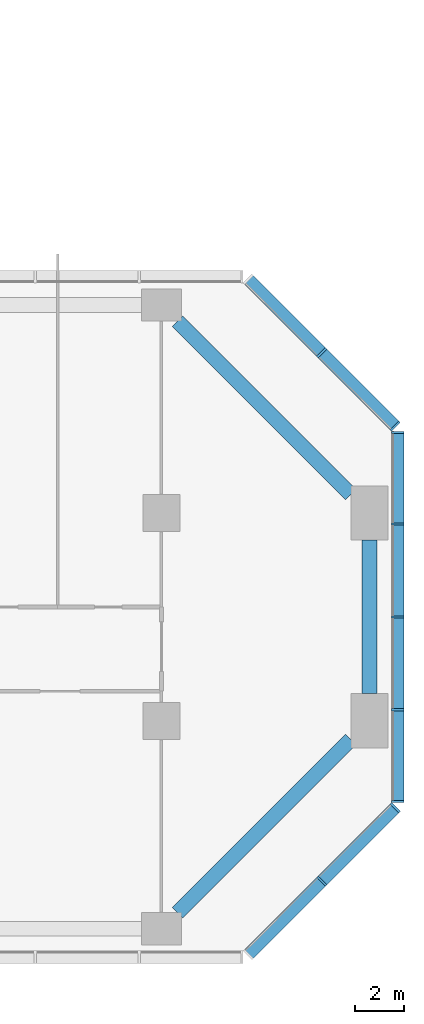
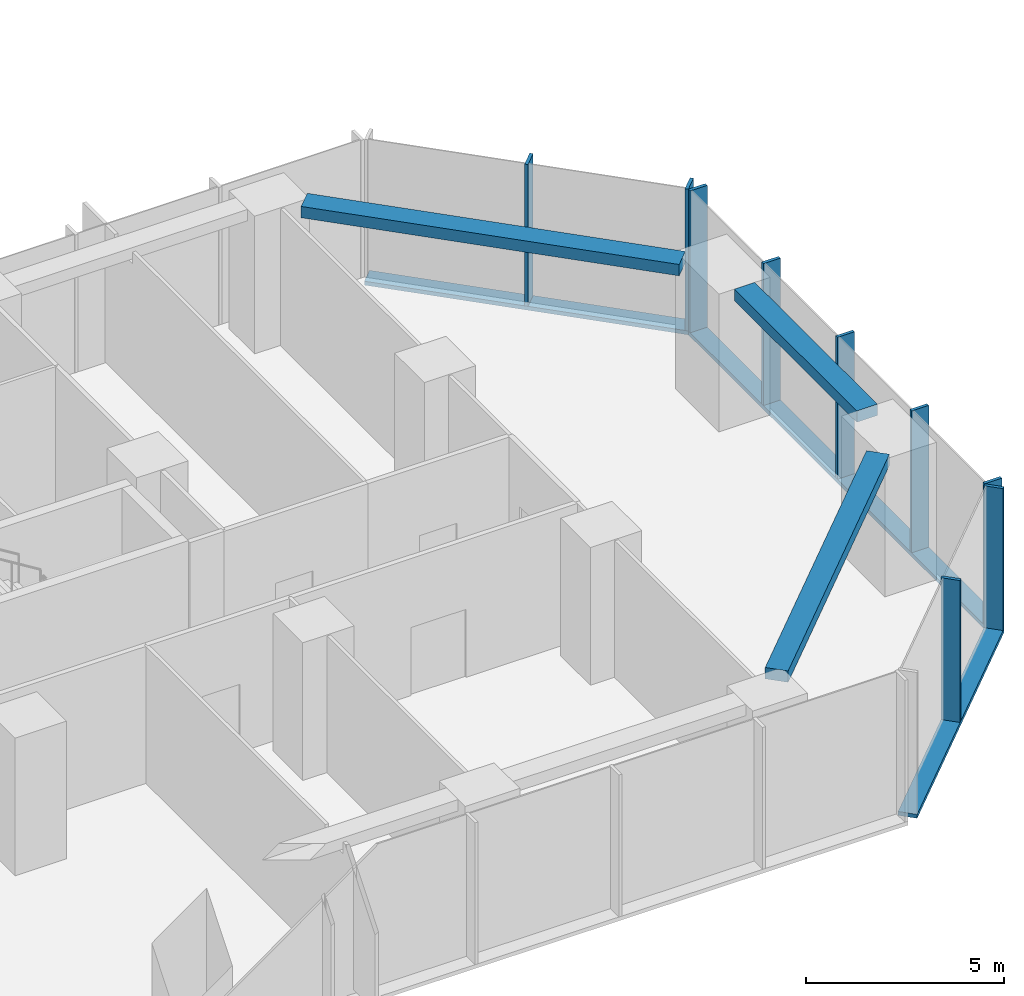
# One storey, part 4 of 13: 12 members, 3 beams, 3 elements without a shape of their own.
"""IFC4 building model written with IfcOpenShell, lengths in metres."""

from ifc_helpers import new_model, si_unit, direction, frame, origin, origin_2d, place, context, subcontext, project, spatial, rectangle, extrude, material, material_profile, profile_set, type_object, element, aggregate, save


model = new_model("IFC4")

# Units and contexts
model_context = context("Model", 3, precision=1e-05, world=origin(), true_north=direction((0.0, 1.0)))
body_context = subcontext(model_context, "Body", "Model", "MODEL_VIEW")
ifc_project = project(units=[si_unit("LENGTHUNIT", "METRE"), si_unit("AREAUNIT", "SQUARE_METRE"), si_unit("VOLUMEUNIT", "CUBIC_METRE"), si_unit("PLANEANGLEUNIT", "RADIAN"), si_unit("MASSUNIT", "GRAM", prefix="KILO")], contexts=[model_context])

# Site, building, storey
site_placement = place(None, origin())
site = spatial("IfcSite", under=ifc_project, at=site_placement, CompositionType="ELEMENT")
building_placement = place(site_placement, origin())
building = spatial("IfcBuilding", under=site, at=building_placement, Name="Brevane Broadcast Tower", CompositionType="ELEMENT")
storey_placement = place(building_placement, frame((0.0, 0.0, 32.0)))
storey = spatial("IfcBuildingStorey", under=building, at=storey_placement, Name="L05", CompositionType="ELEMENT", Elevation=32.0)

# Curtain wall, members
ifc_material_1 = material(Name="Aluminium 6063-T6 bronze anodised", Category="aluminium")
curtain_wall_type = type_object("IfcCurtainWallType", Name="CW-2 curtain wall", PredefinedType="NOTDEFINED", material=ifc_material_1)
curtain_wall_1_placement = place(storey_placement, origin())
curtain_wall_1 = element("IfcCurtainWall", 1, at=curtain_wall_1_placement, inside=storey, type_object=curtain_wall_type, Name="CW-2 podium base unit L05 south-east chamfer", PredefinedType="NOTDEFINED")
ifc_material_profile_1 = material_profile(ifc_material_1, rectangle(XDim=0.5, YDim=0.090087890625, at=origin_2d()), Name="RECT 90x500")
ifc_profile_set_1 = profile_set([ifc_material_profile_1], Name="Aluminium 6063-T6 bronze anodised")
member_type_1 = type_object("IfcMemberType", Name="CW-2 mullion 90x500", PredefinedType="MULLION", material=ifc_profile_set_1)
member_1_placement = place(storey_placement, frame((65.27685546875, 1.92333984375, -0.1298828125), z_axis=(0.0, 0.0, 1.0), x_axis=(-0.707106781187, 0.707106781187, 0.0)))
member_1 = element("IfcMember", 2, at=member_1_placement, type_object=member_type_1, Name="CW-2 mullion", PredefinedType="MULLION", context=body_context, shape_type="SweptSolid", body=[
    extrude(rectangle(XDim=0.5, YDim=0.090087890625, at=origin_2d()), origin(), (0.0, 0.0, 1.0), 4.3798828125),
])
member_2_placement = place(storey_placement, frame((68.244873046875, 4.891357421875, -0.1298828125), z_axis=(0.0, 0.0, 1.0), x_axis=(-0.707106781187, 0.707106781187, 0.0)))
member_2 = element("IfcMember", 3, at=member_2_placement, type_object=member_type_1, Name="CW-2 mullion", PredefinedType="MULLION", context=body_context, shape_type="SweptSolid", body=[
    extrude(rectangle(XDim=0.5, YDim=0.090087890625, at=origin_2d()), origin(), (0.0, 0.0, 1.0), 4.3798828125),
])

curtain_wall_2_placement = place(storey_placement, origin())
curtain_wall_2 = element("IfcCurtainWall", 4, at=curtain_wall_2_placement, inside=storey, type_object=curtain_wall_type, Name="CW-2 podium base unit L05 east end", PredefinedType="NOTDEFINED")
member_3_placement = place(storey_placement, frame((68.35009765625, 5.14501953125, -0.1298828125), z_axis=(0.0, 0.0, 1.0), x_axis=(-1.0, 0.0, 0.0)))
member_3 = element("IfcMember", 5, at=member_3_placement, type_object=member_type_1, Name="CW-2 mullion", PredefinedType="MULLION", context=body_context, shape_type="SweptSolid", body=[
    extrude(rectangle(XDim=0.5, YDim=0.090087890625, at=origin_2d()), origin(), (0.0, 0.0, 1.0), 4.3798828125),
])
member_4_placement = place(storey_placement, frame((68.35009765625, 8.85009765625, -0.1298828125), z_axis=(0.0, 0.0, 1.0), x_axis=(-1.0, 0.0, 0.0)))
member_4 = element("IfcMember", 6, at=member_4_placement, type_object=member_type_1, Name="CW-2 mullion", PredefinedType="MULLION", context=body_context, shape_type="SweptSolid", body=[
    extrude(rectangle(XDim=0.5, YDim=0.090087890625, at=origin_2d()), origin(), (0.0, 0.0, 1.0), 4.3798828125),
])
member_5_placement = place(storey_placement, frame((68.35009765625, 12.60009765625, -0.1298828125), z_axis=(0.0, 0.0, 1.0), x_axis=(-1.0, 0.0, 0.0)))
member_5 = element("IfcMember", 7, at=member_5_placement, type_object=member_type_1, Name="CW-2 mullion", PredefinedType="MULLION", context=body_context, shape_type="SweptSolid", body=[
    extrude(rectangle(XDim=0.5, YDim=0.090087890625, at=origin_2d()), origin(), (0.0, 0.0, 1.0), 4.3798828125),
])
member_6_placement = place(storey_placement, frame((68.35009765625, 16.35009765625, -0.1298828125), z_axis=(0.0, 0.0, 1.0), x_axis=(-1.0, 0.0, 0.0)))
member_6 = element("IfcMember", 8, at=member_6_placement, type_object=member_type_1, Name="CW-2 mullion", PredefinedType="MULLION", context=body_context, shape_type="SweptSolid", body=[
    extrude(rectangle(XDim=0.5, YDim=0.090087890625, at=origin_2d()), origin(), (0.0, 0.0, 1.0), 4.3798828125),
])
member_7_placement = place(storey_placement, frame((68.35009765625, 20.054931640625, -0.1298828125), z_axis=(0.0, 0.0, 1.0), x_axis=(-1.0, 0.0, 0.0)))
member_7 = element("IfcMember", 9, at=member_7_placement, type_object=member_type_1, Name="CW-2 mullion", PredefinedType="MULLION", context=body_context, shape_type="SweptSolid", body=[
    extrude(rectangle(XDim=0.5, YDim=0.090087890625, at=origin_2d()), origin(), (0.0, 0.0, 1.0), 4.3798828125),
])

curtain_wall_3_placement = place(storey_placement, origin())
curtain_wall_3 = element("IfcCurtainWall", 10, at=curtain_wall_3_placement, inside=storey, type_object=curtain_wall_type, Name="CW-2 podium base unit L05 north-east chamfer", PredefinedType="NOTDEFINED")
member_8_placement = place(storey_placement, frame((68.244873046875, 20.30859375, -0.1298828125), z_axis=(0.0, 0.0, 1.0), x_axis=(-0.707106781187, -0.707106781187, 0.0)))
member_8 = element("IfcMember", 11, at=member_8_placement, type_object=member_type_1, Name="CW-2 mullion", PredefinedType="MULLION", context=body_context, shape_type="SweptSolid", body=[
    extrude(rectangle(XDim=0.5, YDim=0.090087890625, at=origin_2d()), origin(), (0.0, 0.0, 1.0), 4.3798828125),
])
member_9_placement = place(storey_placement, frame((65.27685546875, 23.27685546875, -0.1298828125), z_axis=(0.0, 0.0, 1.0), x_axis=(-0.707106781187, -0.707106781187, 0.0)))
member_9 = element("IfcMember", 12, at=member_9_placement, type_object=member_type_1, Name="CW-2 mullion", PredefinedType="MULLION", context=body_context, shape_type="SweptSolid", body=[
    extrude(rectangle(XDim=0.5, YDim=0.090087890625, at=origin_2d()), origin(), (0.0, 0.0, 1.0), 4.3798828125),
])

# Member
ifc_material_profile_2 = material_profile(ifc_material_1, rectangle(XDim=0.5, YDim=0.1201171875, at=origin_2d()), Name="RECT 120x500")
ifc_profile_set_2 = profile_set([ifc_material_profile_2], Name="Aluminium 6063-T6 bronze anodised")
member_type_2 = type_object("IfcMemberType", Name="CW-2 transom 120x500", PredefinedType="USERDEFINED", material=ifc_profile_set_2)
member_10_placement = place(storey_placement, frame((62.27685546875, -1.07666015625, -0.18994140625), z_axis=(0.707106781187, 0.707106781187, 0.0), x_axis=(-0.707106781187, 0.707106781187, 0.0)))
member_10 = element("IfcMember", 13, at=member_10_placement, type_object=member_type_2, Name="CW-2 transom", ObjectType="TRANSOM", PredefinedType="USERDEFINED", context=body_context, shape_type="SweptSolid", body=[
    extrude(rectangle(XDim=0.5, YDim=0.1201171875, at=origin_2d()), origin(), (0.0, 0.0, 1.0), 8.4853515625),
])

aggregate(curtain_wall_1, [member_1, member_2, member_10])

member_11_placement = place(storey_placement, frame((68.35009765625, 5.10009765625, -0.18994140625), z_axis=(0.0, 1.0, 0.0), x_axis=(-1.0, 0.0, 0.0)))
member_11 = element("IfcMember", 14, at=member_11_placement, type_object=member_type_2, Name="CW-2 transom", ObjectType="TRANSOM", PredefinedType="USERDEFINED", context=body_context, shape_type="SweptSolid", body=[
    extrude(rectangle(XDim=0.5, YDim=0.1201171875, at=origin_2d()), origin(), (0.0, 0.0, 1.0), 15.0),
])

aggregate(curtain_wall_2, [member_3, member_4, member_5, member_6, member_7, member_11])

member_12_placement = place(storey_placement, frame((68.27685546875, 20.27685546875, -0.18994140625), z_axis=(-0.707106781187, 0.707106781187, 0.0), x_axis=(-0.707106781187, -0.707106781187, 0.0)))
member_12 = element("IfcMember", 15, at=member_12_placement, type_object=member_type_2, Name="CW-2 transom", ObjectType="TRANSOM", PredefinedType="USERDEFINED", context=body_context, shape_type="SweptSolid", body=[
    extrude(rectangle(XDim=0.5, YDim=0.1201171875, at=origin_2d()), origin(), (0.0, 0.0, 1.0), 8.4853515625),
])

aggregate(curtain_wall_3, [member_8, member_9, member_12])

# Beams
ifc_material_2 = material(Name="Concrete C40/50", Category="concrete")
ifc_material_profile_3 = material_profile(ifc_material_2, rectangle(XDim=0.60009765625, YDim=0.35009765625, at=origin_2d()), Name="RC 600x350")
ifc_profile_set_3 = profile_set([ifc_material_profile_3], Name="Concrete C40/50")
beam_type = type_object("IfcBeamType", Name="RC SPANDREL BEAM 600x350 C40/50", PredefinedType="SPANDREL", material=ifc_profile_set_3)
beam_1_placement = place(storey_placement, frame((59.449951171875, 0.64990234375, 4.074951171875), z_axis=(0.707106781187, 0.707106781187, 0.0), x_axis=(-0.707106781187, 0.707106781187, 0.0)))
element("IfcBeam", 16, at=beam_1_placement, inside=storey, type_object=beam_type, Name="EB1 L05-5", PredefinedType="SPANDREL", context=body_context, shape_type="SweptSolid", body=[
    extrude(rectangle(XDim=0.60009765625, YDim=0.35009765625, at=origin_2d()), origin(), (0.0, 0.0, 1.0), 9.8994140625),
])
beam_2_placement = place(storey_placement, frame((67.199951171875, 9.5, 4.074951171875), z_axis=(0.0, 1.0, 0.0), x_axis=(-1.0, 0.0, 0.0)))
element("IfcBeam", 17, at=beam_2_placement, inside=storey, type_object=beam_type, Name="EB1 L05-6", PredefinedType="SPANDREL", context=body_context, shape_type="SweptSolid", body=[
    extrude(rectangle(XDim=0.60009765625, YDim=0.35009765625, at=origin_2d()), origin(), (0.0, 0.0, 1.0), 6.199951171875),
])
beam_3_placement = place(storey_placement, frame((66.449951171875, 17.550048828125, 4.074951171875), z_axis=(-0.707106781187, 0.707106781187, 0.0), x_axis=(-0.707106781187, -0.707106781187, 0.0)))
element("IfcBeam", 18, at=beam_3_placement, inside=storey, type_object=beam_type, Name="EB1 L05-7", PredefinedType="SPANDREL", context=body_context, shape_type="SweptSolid", body=[
    extrude(rectangle(XDim=0.60009765625, YDim=0.35009765625, at=origin_2d()), origin(), (0.0, 0.0, 1.0), 9.8994140625),
])

save(model, "model.ifc")
